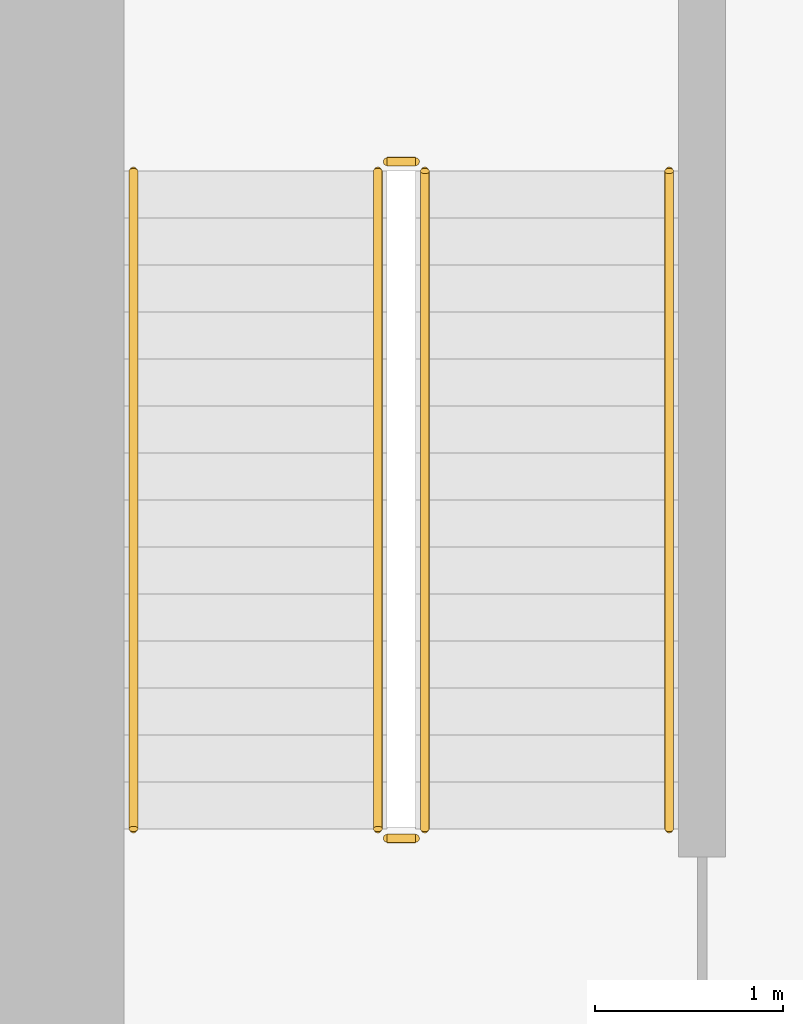
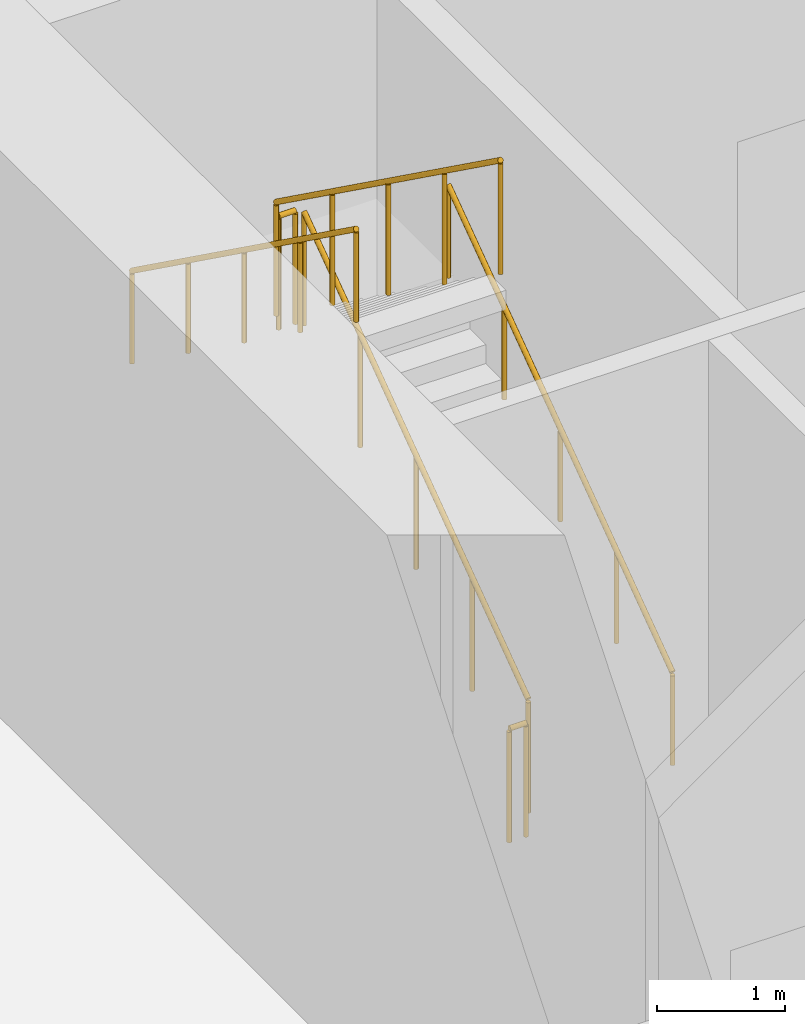
# One storey, part 18 of 21: 6 railings.
"""IFC4 building model written with IfcOpenShell, lengths in metres."""

from ifc_helpers import new_model, si_unit, direction, frame, origin, origin_2d, place, context, subcontext, project, spatial, circle, extrude, source, transform, mapped, material, type_object, element, save


model = new_model("IFC4")

# Units and contexts
model_context = context("Model", 3, precision=1e-05, world=origin(), true_north=direction((0.0, 1.0)))
body_context = subcontext(model_context, "Body", "Model", "MODEL_VIEW")
ifc_project = project(units=[si_unit("LENGTHUNIT", "METRE"), si_unit("AREAUNIT", "SQUARE_METRE"), si_unit("VOLUMEUNIT", "CUBIC_METRE"), si_unit("PLANEANGLEUNIT", "RADIAN"), si_unit("MASSUNIT", "GRAM", prefix="KILO")], contexts=[model_context])

# Site, building, storey
site_placement = place(None, origin())
site = spatial("IfcSite", under=ifc_project, at=site_placement, CompositionType="ELEMENT")
building_placement = place(site_placement, origin())
building = spatial("IfcBuilding", under=site, at=building_placement, Name="Aurelian Terraces", CompositionType="ELEMENT")
storey_placement = place(building_placement, frame((0.0, 0.0, 29.1)))
storey = spatial("IfcBuildingStorey", under=building, at=storey_placement, Name="L05", CompositionType="ELEMENT", Elevation=29.1)

# Railings
ifc_material = material(Name="Stainless steel", Category="steel")
railing_type_1 = type_object("IfcRailingType", Name="Stair guard 1100", PredefinedType="GUARDRAIL", material=ifc_material)
shared_shape_1 = source(origin(), body_context, "Body", "SweptSolid", [
    extrude(circle(Radius=0.024, at=origin_2d()), frame((0.0, 0.0, 1.076), z_axis=(-1.0, 0.0, 0.0), x_axis=(0.0, -1.0, 0.0)), (0.0, 0.0, 1.0), 0.15),
    extrude(circle(Radius=0.021, at=origin_2d()), origin(), (0.0, 0.0, 1.0), 1.052),
    extrude(circle(Radius=0.021, at=origin_2d()), frame((-0.15, 0.0, 0.0)), (0.0, 0.0, 1.0), 1.052),
])
for number, where, name in (
    (1, (5.75, 19.85, 2.7), "L05 S1 stair guard 2"),
    (2, (5.75, 16.25, 0.0), "L05 S1 stair guard 4"),
):
    element("IfcRailing", number, at=place(storey_placement, frame(where)), inside=storey, type_object=railing_type_1, Name=name, PredefinedType="GUARDRAIL", context=body_context, shape_type="MappedRepresentation", body=[
        mapped(shared_shape_1, transform((0.0, 0.0, 0.0), scale=1.0)),
    ])
shared_shape_2 = source(origin(), body_context, "Body", "SweptSolid", [
    extrude(circle(Radius=0.024, at=origin_2d()), frame((0.0, 0.0, 1.076), z_axis=(0.0, 0.811534341451, 0.584304725845), x_axis=(-1.0, 0.0, 0.0)), (0.0, 0.0, 1.0), 4.3128),
    extrude(circle(Radius=0.021, at=origin_2d()), origin(), (0.0, 0.0, 1.0), 1.052),
    extrude(circle(Radius=0.021, at=origin_2d()), frame((0.0, 0.875, 0.63)), (0.0, 0.0, 1.0), 1.052),
    extrude(circle(Radius=0.021, at=origin_2d()), frame((0.0, 1.75, 1.26)), (0.0, 0.0, 1.0), 1.052),
    extrude(circle(Radius=0.021, at=origin_2d()), frame((0.0, 2.625, 1.89)), (0.0, 0.0, 1.0), 1.052),
    extrude(circle(Radius=0.021, at=origin_2d()), frame((0.0, 3.5, 2.52)), (0.0, 0.0, 1.0), 1.052),
])
railing_1_placement = place(storey_placement, frame((5.8, 16.3, 0.18)))
element("IfcRailing", 3, at=railing_1_placement, inside=storey, type_object=railing_type_1, Name="L05 S1 stair guard 1", PredefinedType="GUARDRAIL", context=body_context, shape_type="MappedRepresentation", body=[
    mapped(shared_shape_2, transform((0.0, 0.0, 0.0), scale=1.0)),
])
shared_shape_3 = source(origin(), body_context, "Body", "SweptSolid", [
    extrude(circle(Radius=0.024, at=origin_2d()), frame((0.0, 0.0, 1.076), z_axis=(0.0, -0.811534341451, 0.584304725845), x_axis=(1.0, 0.0, 0.0)), (0.0, 0.0, 1.0), 4.3128),
    extrude(circle(Radius=0.021, at=origin_2d()), origin(), (0.0, 0.0, 1.0), 1.052),
    extrude(circle(Radius=0.021, at=origin_2d()), frame((0.0, -0.875, 0.63)), (0.0, 0.0, 1.0), 1.052),
    extrude(circle(Radius=0.021, at=origin_2d()), frame((0.0, -1.75, 1.26)), (0.0, 0.0, 1.0), 1.052),
    extrude(circle(Radius=0.021, at=origin_2d()), frame((0.0, -2.625, 1.89)), (0.0, 0.0, 1.0), 1.052),
    extrude(circle(Radius=0.021, at=origin_2d()), frame((0.0, -3.5, 2.52)), (0.0, 0.0, 1.0), 1.052),
])
railing_2_placement = place(storey_placement, frame((5.55, 19.8, 2.88)))
element("IfcRailing", 4, at=railing_2_placement, inside=storey, type_object=railing_type_1, Name="L05 S1 stair guard 3", PredefinedType="GUARDRAIL", context=body_context, shape_type="MappedRepresentation", body=[
    mapped(shared_shape_3, transform((0.0, 0.0, 0.0), scale=1.0)),
])
railing_type_2 = type_object("IfcRailingType", Name="Stair handrail", PredefinedType="HANDRAIL", material=ifc_material)
shared_shape_4 = source(origin(), body_context, "Body", "SweptSolid", [
    extrude(circle(Radius=0.024, at=origin_2d()), frame((0.0, 0.0, 0.876), z_axis=(0.0, 0.811534341451, 0.584304725845), x_axis=(-1.0, 0.0, 0.0)), (0.0, 0.0, 1.0), 4.3128),
    extrude(circle(Radius=0.021, at=origin_2d()), origin(), (0.0, 0.0, 1.0), 0.852),
    extrude(circle(Radius=0.021, at=origin_2d()), frame((0.0, 0.875, 0.63)), (0.0, 0.0, 1.0), 0.852),
    extrude(circle(Radius=0.021, at=origin_2d()), frame((0.0, 1.75, 1.26)), (0.0, 0.0, 1.0), 0.852),
    extrude(circle(Radius=0.021, at=origin_2d()), frame((0.0, 2.625, 1.89)), (0.0, 0.0, 1.0), 0.852),
    extrude(circle(Radius=0.021, at=origin_2d()), frame((0.0, 3.5, 2.52)), (0.0, 0.0, 1.0), 0.852),
])
railing_3_placement = place(storey_placement, frame((7.1, 16.3, 0.18)))
element("IfcRailing", 5, at=railing_3_placement, inside=storey, type_object=railing_type_2, Name="L05 S1 stair handrail 1", PredefinedType="HANDRAIL", context=body_context, shape_type="MappedRepresentation", body=[
    mapped(shared_shape_4, transform((0.0, 0.0, 0.0), scale=1.0)),
])
shared_shape_5 = source(origin(), body_context, "Body", "SweptSolid", [
    extrude(circle(Radius=0.024, at=origin_2d()), frame((0.0, 0.0, 0.876), z_axis=(0.0, -0.811534341451, 0.584304725845), x_axis=(1.0, 0.0, 0.0)), (0.0, 0.0, 1.0), 4.3128),
    extrude(circle(Radius=0.021, at=origin_2d()), origin(), (0.0, 0.0, 1.0), 0.852),
    extrude(circle(Radius=0.021, at=origin_2d()), frame((0.0, -0.875, 0.63)), (0.0, 0.0, 1.0), 0.852),
    extrude(circle(Radius=0.021, at=origin_2d()), frame((0.0, -1.75, 1.26)), (0.0, 0.0, 1.0), 0.852),
    extrude(circle(Radius=0.021, at=origin_2d()), frame((0.0, -2.625, 1.89)), (0.0, 0.0, 1.0), 0.852),
    extrude(circle(Radius=0.021, at=origin_2d()), frame((0.0, -3.5, 2.52)), (0.0, 0.0, 1.0), 0.852),
])
railing_4_placement = place(storey_placement, frame((4.25, 19.8, 2.88)))
element("IfcRailing", 6, at=railing_4_placement, inside=storey, type_object=railing_type_2, Name="L05 S1 stair handrail 2", PredefinedType="HANDRAIL", context=body_context, shape_type="MappedRepresentation", body=[
    mapped(shared_shape_5, transform((0.0, 0.0, 0.0), scale=1.0)),
])

save(model, "model.ifc")
